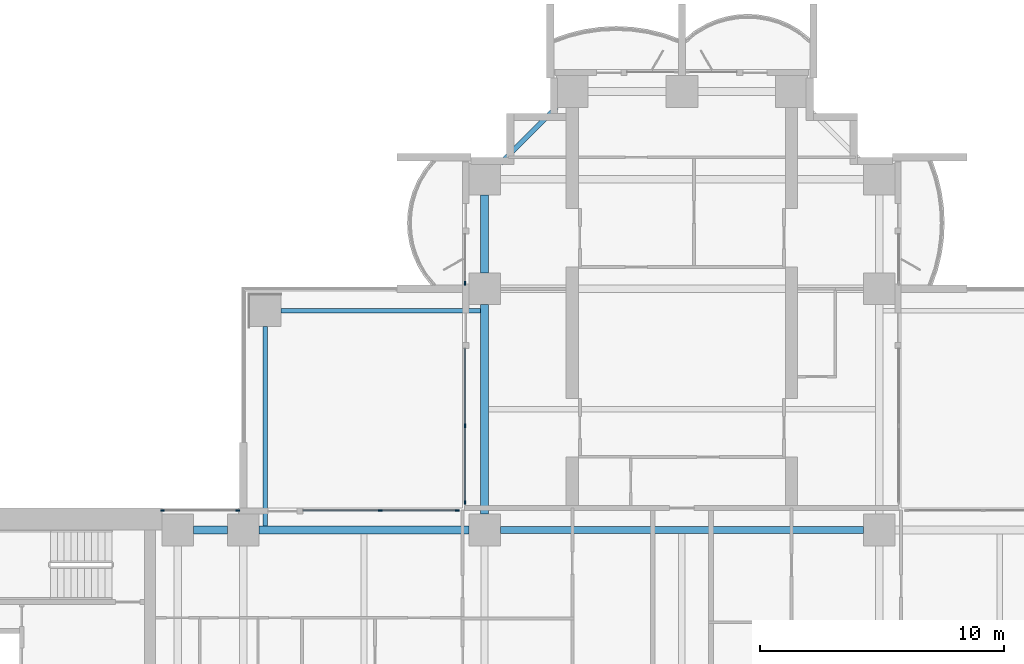
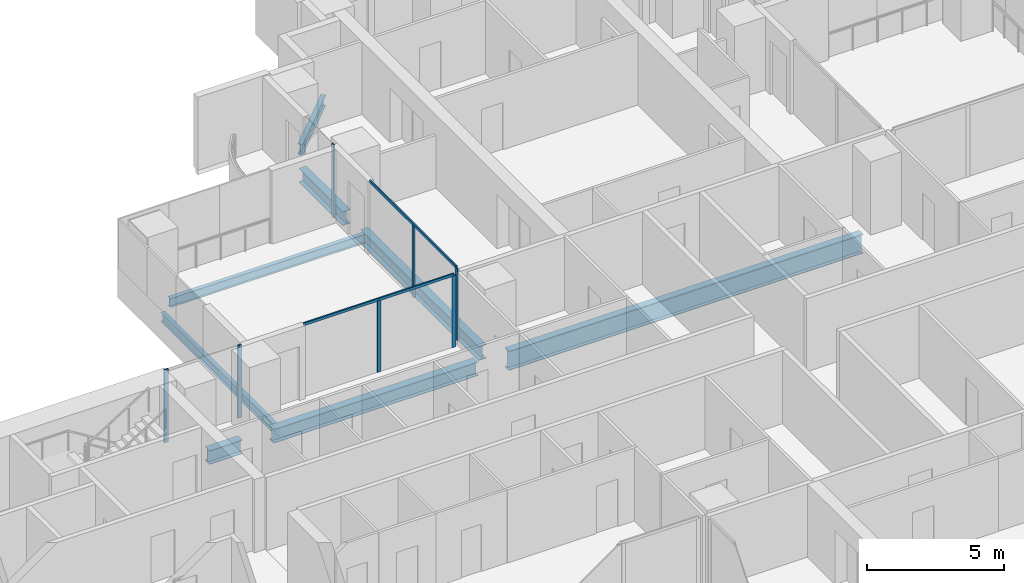
# One storey, part 5 of 20: 9 members, 8 beams, 4 elements without a shape of their own.
"""IFC4 building model written with IfcOpenShell, lengths in metres."""

from ifc_helpers import new_model, si_unit, direction, frame, origin, origin_2d, place, context, subcontext, project, spatial, rectangle, i_section, extrude, material, material_profile, profile_set, type_object, element, aggregate, save


model = new_model("IFC4")

# Units and contexts
model_context = context("Model", 3, precision=1e-05, world=origin(), true_north=direction((0.0, 1.0)))
body_context = subcontext(model_context, "Body", "Model", "MODEL_VIEW")
ifc_project = project(units=[si_unit("LENGTHUNIT", "METRE"), si_unit("AREAUNIT", "SQUARE_METRE"), si_unit("VOLUMEUNIT", "CUBIC_METRE"), si_unit("PLANEANGLEUNIT", "RADIAN"), si_unit("MASSUNIT", "GRAM", prefix="KILO")], contexts=[model_context])

# Site, building, storey
site_placement = place(None, origin())
site = spatial("IfcSite", under=ifc_project, at=site_placement, CompositionType="ELEMENT")
building_placement = place(site_placement, origin())
building = spatial("IfcBuilding", under=site, at=building_placement, Name="Perihelion Cross Residences", CompositionType="ELEMENT")
storey_placement = place(building_placement, frame((0.0, 0.0, 68.0)))
storey = spatial("IfcBuildingStorey", under=building, at=storey_placement, Name="L14", CompositionType="ELEMENT", Elevation=68.0)

# Curtain wall, member
ifc_material_1 = material(Name="Bronze anodised aluminium, tinted glazing", Category="aluminium")
curtain_wall_type = type_object("IfcCurtainWallType", Name="CW1", PredefinedType="NOTDEFINED", material=ifc_material_1)
curtain_wall_1_placement = place(storey_placement, origin())
curtain_wall_1 = element("IfcCurtainWall", 1, at=curtain_wall_1_placement, inside=storey, type_object=curtain_wall_type, Name="Curtain wall CW1 L14 north side west bay 1", PredefinedType="NOTDEFINED")
ifc_material_2 = material(Name="Bronze anodised aluminium", Category="aluminium")
ifc_material_profile_1 = material_profile(ifc_material_2, rectangle(XDim=0.06005859375, YDim=0.159912109375, at=origin_2d()), Name="CW1 mullion")
ifc_profile_set_1 = profile_set([ifc_material_profile_1], Name="Bronze anodised aluminium")
member_type_1 = type_object("IfcMemberType", Name="CW1 mullion", PredefinedType="MULLION", material=ifc_profile_set_1)
member_1_placement = place(storey_placement, frame((-8.89990234375, 18.22998046875, 0.0), z_axis=(0.0, 0.0, 1.0), x_axis=(1.0, 0.0, 0.0)))
member_1 = element("IfcMember", 2, at=member_1_placement, type_object=member_type_1, Name="CW1 mullion 2", PredefinedType="MULLION", context=body_context, shape_type="SweptSolid", body=[
    extrude(rectangle(XDim=0.06005859375, YDim=0.159912109375, at=origin_2d()), origin(), (0.0, 0.0, 1.0), 3.25),
])
aggregate(curtain_wall_1, [member_1])

# Curtain wall, members
curtain_wall_2_placement = place(storey_placement, origin())
curtain_wall_2 = element("IfcCurtainWall", 3, at=curtain_wall_2_placement, inside=storey, type_object=curtain_wall_type, Name="Curtain wall CW1 L14 north side west bay 2", PredefinedType="NOTDEFINED")
member_2_placement = place(storey_placement, frame((-8.89990234375, 12.375, 0.0), z_axis=(0.0, 0.0, 1.0), x_axis=(1.0, 0.0, 0.0)))
member_2 = element("IfcMember", 4, at=member_2_placement, type_object=member_type_1, Name="CW1 mullion 2", PredefinedType="MULLION", context=body_context, shape_type="SweptSolid", body=[
    extrude(rectangle(XDim=0.06005859375, YDim=0.159912109375, at=origin_2d()), origin(), (0.0, 0.0, 1.0), 3.18994140625),
])
member_3_placement = place(storey_placement, frame((-8.89990234375, 9.22998046875, 0.0), z_axis=(0.0, 0.0, 1.0), x_axis=(1.0, 0.0, 0.0)))
member_3 = element("IfcMember", 5, at=member_3_placement, type_object=member_type_1, Name="CW1 mullion 3", PredefinedType="MULLION", context=body_context, shape_type="SweptSolid", body=[
    extrude(rectangle(XDim=0.06005859375, YDim=0.159912109375, at=origin_2d()), origin(), (0.0, 0.0, 1.0), 3.18994140625),
])

curtain_wall_3_placement = place(storey_placement, origin())
curtain_wall_3 = element("IfcCurtainWall", 6, at=curtain_wall_3_placement, inside=storey, type_object=curtain_wall_type, Name="Curtain wall CW1 L14 west side north bay 1", PredefinedType="NOTDEFINED")
member_4_placement = place(storey_placement, frame((-9.22998046875, 8.89990234375, 0.0), z_axis=(0.0, 0.0, 1.0), x_axis=(0.0, -1.0, 0.0)))
member_4 = element("IfcMember", 7, at=member_4_placement, type_object=member_type_1, Name="CW1 mullion 1", PredefinedType="MULLION", context=body_context, shape_type="SweptSolid", body=[
    extrude(rectangle(XDim=0.06005859375, YDim=0.159912109375, at=origin_2d()), origin(), (0.0, 0.0, 1.0), 3.18994140625),
])
member_5_placement = place(storey_placement, frame((-12.375, 8.89990234375, 0.0), z_axis=(0.0, 0.0, 1.0), x_axis=(0.0, -1.0, 0.0)))
member_5 = element("IfcMember", 8, at=member_5_placement, type_object=member_type_1, Name="CW1 mullion 2", PredefinedType="MULLION", context=body_context, shape_type="SweptSolid", body=[
    extrude(rectangle(XDim=0.06005859375, YDim=0.159912109375, at=origin_2d()), origin(), (0.0, 0.0, 1.0), 3.18994140625),
])

curtain_wall_4_placement = place(storey_placement, origin())
curtain_wall_4 = element("IfcCurtainWall", 9, at=curtain_wall_4_placement, inside=storey, type_object=curtain_wall_type, Name="Curtain wall CW1 L14 west side north bay 2", PredefinedType="NOTDEFINED")
member_6_placement = place(storey_placement, frame((-18.22998046875, 8.89990234375, 0.0), z_axis=(0.0, 0.0, 1.0), x_axis=(0.0, -1.0, 0.0)))
member_6 = element("IfcMember", 10, at=member_6_placement, type_object=member_type_1, Name="CW1 mullion 1", PredefinedType="MULLION", context=body_context, shape_type="SweptSolid", body=[
    extrude(rectangle(XDim=0.06005859375, YDim=0.159912109375, at=origin_2d()), origin(), (0.0, 0.0, 1.0), 3.25),
])
member_7_placement = place(storey_placement, frame((-21.320068359375, 8.89990234375, 0.0), z_axis=(0.0, 0.0, 1.0), x_axis=(0.0, -1.0, 0.0)))
member_7 = element("IfcMember", 11, at=member_7_placement, type_object=member_type_1, Name="CW1 mullion 2", PredefinedType="MULLION", context=body_context, shape_type="SweptSolid", body=[
    extrude(rectangle(XDim=0.06005859375, YDim=0.159912109375, at=origin_2d()), origin(), (0.0, 0.0, 1.0), 3.25),
])
aggregate(curtain_wall_4, [member_6, member_7])

# Member
ifc_material_3 = material(Name="Bronze anodised aluminium", Category="aluminium")
ifc_material_profile_2 = material_profile(ifc_material_3, rectangle(XDim=0.06005859375, YDim=0.1201171875, at=origin_2d()), Name="CW1 transom")
ifc_profile_set_2 = profile_set([ifc_material_profile_2], Name="Bronze anodised aluminium")
member_type_2 = type_object("IfcMemberType", Name="CW1 transom", PredefinedType="USERDEFINED", material=ifc_profile_set_2)
member_8_placement = place(storey_placement, frame((-8.89990234375, 15.550048828125, 3.219970703125), z_axis=(0.0, -1.0, 0.0), x_axis=(1.0, 0.0, 0.0)))
member_8 = element("IfcMember", 12, at=member_8_placement, type_object=member_type_2, Name="CW1 head transom", ObjectType="TRANSOM", PredefinedType="USERDEFINED", context=body_context, shape_type="SweptSolid", body=[
    extrude(rectangle(XDim=0.06005859375, YDim=0.1201171875, at=origin_2d()), origin(), (0.0, 0.0, 1.0), 6.320068359375),
])

aggregate(curtain_wall_2, [member_2, member_3, member_8])

member_9_placement = place(storey_placement, frame((-9.22998046875, 8.89990234375, 3.219970703125), z_axis=(-1.0, 0.0, 0.0), x_axis=(0.0, -1.0, 0.0)))
member_9 = element("IfcMember", 13, at=member_9_placement, type_object=member_type_2, Name="CW1 head transom", ObjectType="TRANSOM", PredefinedType="USERDEFINED", context=body_context, shape_type="SweptSolid", body=[
    extrude(rectangle(XDim=0.06005859375, YDim=0.1201171875, at=origin_2d()), origin(), (0.0, 0.0, 1.0), 6.320068359375),
])

aggregate(curtain_wall_3, [member_4, member_5, member_9])

# Beams
ifc_material_4 = material(Name="Steel S355", Category="steel")
ifc_material_profile_3 = material_profile(ifc_material_4, i_section(OverallWidth=0.177978515625, OverallDepth=0.406005859375, WebThickness=0.0078125, FlangeThickness=0.0126953125, at=origin_2d()), Name="W410x60")
ifc_profile_set_3 = profile_set([ifc_material_profile_3], Name="Steel S355")
beam_type_1 = type_object("IfcBeamType", Name="Core edge beam W410x60", PredefinedType="BEAM", material=ifc_profile_set_3)
for number, where, z_axis, x_axis, name in (
    (14, (-17.10009765625, 8.262451171875, -0.452880859375), (0.0, 1.0, 0.0), (-1.0, 0.0, 0.0), "Core edge beam TB2 L14 corner no. 3"),
    (15, (-8.262451171875, 17.10009765625, -0.452880859375), (-1.0, 0.0, 0.0), (0.0, -1.0, 0.0), "Core edge beam TB2 L14 corner no. 4"),
):
    element("IfcBeam", number, at=place(storey_placement, frame(where, z_axis=z_axis, x_axis=x_axis)), inside=storey, type_object=beam_type_1, Name=name, PredefinedType="BEAM", context=body_context, shape_type="SweptSolid", body=[
        extrude(i_section(OverallWidth=0.177978515625, OverallDepth=0.406005859375, WebThickness=0.0078125, FlangeThickness=0.0126953125, at=origin_2d()), origin(), (0.0, 0.0, 1.0), 8.1875),
    ])
ifc_material_5 = material(Name="Steel S355", Category="steel")
ifc_material_profile_4 = material_profile(ifc_material_5, i_section(OverallWidth=0.324951171875, OverallDepth=0.616943359375, WebThickness=0.013916015625, FlangeThickness=0.021484375, at=origin_2d()), Name="W610x174")
ifc_profile_set_4 = profile_set([ifc_material_profile_4], Name="Steel S355")
beam_type_2 = type_object("IfcBeamType", Name="Edge beam W610x174", PredefinedType="SPANDREL", material=ifc_profile_set_4)
beam_1_placement = place(storey_placement, frame((-8.10009765625, 21.85009765625, -0.55859375), z_axis=(0.0, -1.0, 0.0), x_axis=(1.0, 0.0, 0.0)))
element("IfcBeam", 16, at=beam_1_placement, inside=storey, type_object=beam_type_2, Name="Edge beam SB2 L14 no. 8", PredefinedType="SPANDREL", context=body_context, shape_type="SweptSolid", body=[
    extrude(i_section(OverallWidth=0.324951171875, OverallDepth=0.616943359375, WebThickness=0.013916015625, FlangeThickness=0.021484375, at=origin_2d()), origin(), (0.0, 0.0, 1.0), 3.2001953125),
])
for number, where, z_axis, x_axis, name in (
    (17, (-8.10009765625, 17.35009765625, -0.55859375), (0.0, -1.0, 0.0), (1.0, 0.0, 0.0), "Edge beam SB2 L14 no. 7"),
    (18, (-8.75, 8.10009765625, -0.55859375), (-1.0, 0.0, 0.0), (0.0, -1.0, 0.0), "Edge beam SB2 L14 no. 9"),
):
    element("IfcBeam", number, at=place(storey_placement, frame(where, z_axis=z_axis, x_axis=x_axis)), inside=storey, type_object=beam_type_2, Name=name, PredefinedType="SPANDREL", context=body_context, shape_type="SweptSolid", body=[
        extrude(i_section(OverallWidth=0.324951171875, OverallDepth=0.616943359375, WebThickness=0.013916015625, FlangeThickness=0.021484375, at=origin_2d()), origin(), (0.0, 0.0, 1.0), 8.60009765625),
    ])
beam_2_placement = place(storey_placement, frame((-18.64990234375, 8.10009765625, -0.55859375), z_axis=(-1.0, 0.0, 0.0), x_axis=(0.0, -1.0, 0.0)))
element("IfcBeam", 19, at=beam_2_placement, inside=storey, type_object=beam_type_2, Name="Edge beam SB2 L14 no. 2", PredefinedType="SPANDREL", context=body_context, shape_type="SweptSolid", body=[
    extrude(i_section(OverallWidth=0.324951171875, OverallDepth=0.616943359375, WebThickness=0.013916015625, FlangeThickness=0.021484375, at=origin_2d()), origin(), (0.0, 0.0, 1.0), 1.400146484375),
])
ifc_material_6 = material(Name="Steel S355", Category="steel")
ifc_material_profile_5 = material_profile(ifc_material_6, i_section(OverallWidth=0.2919921875, OverallDepth=0.85888671875, WebThickness=0.01708984375, FlangeThickness=0.031005859375, at=origin_2d()), Name="W840x251")
ifc_profile_set_5 = profile_set([ifc_material_profile_5], Name="Steel S355")
beam_type_3 = type_object("IfcBeamType", Name="Hub ring girder W840x251", PredefinedType="BEAM", material=ifc_profile_set_5)
beam_3_placement = place(storey_placement, frame((7.449951171875, 8.10009765625, -0.679443359375), z_axis=(-1.0, 0.0, 0.0), x_axis=(0.0, -1.0, 0.0)))
element("IfcBeam", 20, at=beam_3_placement, inside=storey, type_object=beam_type_3, Name="Hub ring girder RG2 L14 no. 4", PredefinedType="BEAM", context=body_context, shape_type="SweptSolid", body=[
    extrude(i_section(OverallWidth=0.2919921875, OverallDepth=0.85888671875, WebThickness=0.01708984375, FlangeThickness=0.031005859375, at=origin_2d()), origin(), (0.0, 0.0, 1.0), 14.89990234375),
])
ifc_material_7 = material(Name="Steel S355", Category="steel")
ifc_material_profile_6 = material_profile(ifc_material_7, i_section(OverallWidth=0.194091796875, OverallDepth=0.469970703125, WebThickness=0.0126953125, FlangeThickness=0.0205078125, at=origin_2d()), Name="W460x106")
ifc_profile_set_6 = profile_set([ifc_material_profile_6], Name="Steel S355")
beam_type_4 = type_object("IfcBeamType", Name="Serration edge beam W460x106", PredefinedType="BEAM", material=ifc_profile_set_6)
beam_4_placement = place(storey_placement, frame((-5.14990234375, 25.449951171875, -0.485107421875), z_axis=(-0.707106781187, -0.707106781187, 0.0), x_axis=(0.707106781187, -0.707106781187, 0.0)))
element("IfcBeam", 21, at=beam_4_placement, inside=storey, type_object=beam_type_4, Name="Serration edge beam EB2 L14 no. 1", PredefinedType="BEAM", context=body_context, shape_type="SweptSolid", body=[
    extrude(i_section(OverallWidth=0.194091796875, OverallDepth=0.469970703125, WebThickness=0.0126953125, FlangeThickness=0.0205078125, at=origin_2d()), origin(), (0.0, 0.0, 1.0), 3.252685546875),
])

save(model, "model.ifc")
